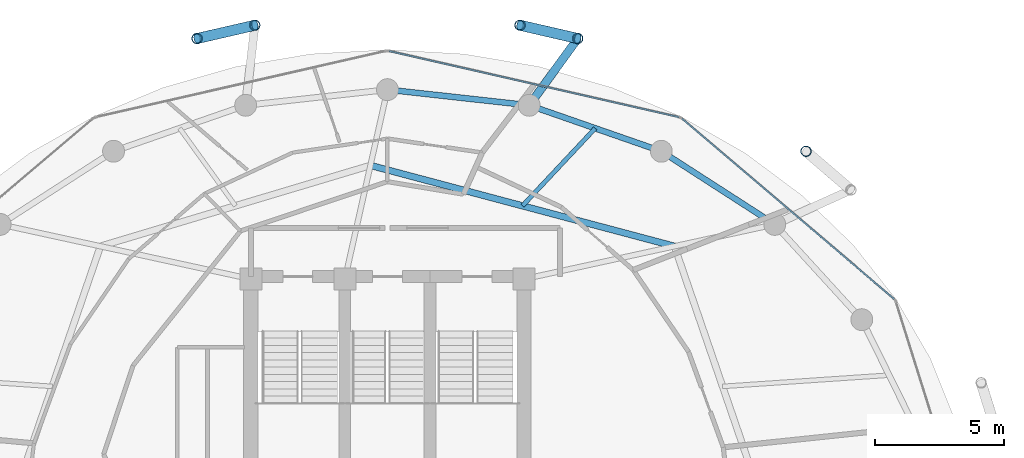
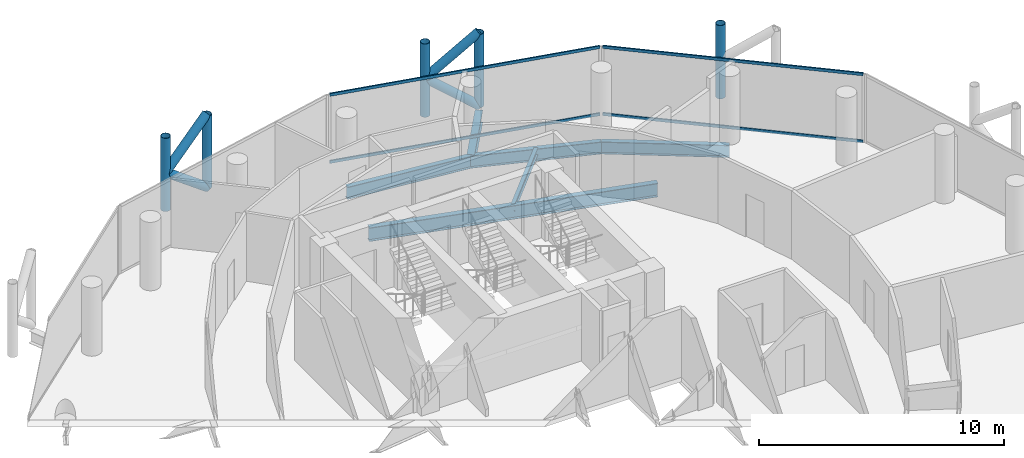
# One storey, part 20 of 27: 13 members, 6 beams, 2 elements without a shape of their own.
"""IFC4 building model written with IfcOpenShell, lengths in metres."""

from ifc_helpers import new_model, si_unit, direction, frame, origin, origin_2d, place, context, subcontext, project, spatial, hollow_rectangle, hollow_circle, i_section, extrude, material, layer, layer_set, material_profile, profile_set, type_object, element, aggregate, save


model = new_model("IFC4")

# Units and contexts
model_context = context("Model", 3, precision=1e-05, world=origin(), true_north=direction((0.0, 1.0)))
body_context = subcontext(model_context, "Body", "Model", "MODEL_VIEW")
ifc_project = project(units=[si_unit("LENGTHUNIT", "METRE"), si_unit("AREAUNIT", "SQUARE_METRE"), si_unit("VOLUMEUNIT", "CUBIC_METRE"), si_unit("PLANEANGLEUNIT", "RADIAN"), si_unit("MASSUNIT", "GRAM", prefix="KILO")], contexts=[model_context])

# Site, building, storey
site_placement = place(None, origin())
site = spatial("IfcSite", under=ifc_project, at=site_placement, CompositionType="ELEMENT")
building_placement = place(site_placement, origin())
building = spatial("IfcBuilding", under=site, at=building_placement, Name="Nuhasar Tower", CompositionType="ELEMENT")
storey_placement = place(building_placement, frame((0.0, 0.0, 248.300048828125)))
storey = spatial("IfcBuildingStorey", under=building, at=storey_placement, Name="L61", CompositionType="ELEMENT", Elevation=248.300048828125)

# Beams
ifc_material_1 = material(Name="Steel S355", Category="steel")
ifc_material_profile_1 = material_profile(ifc_material_1, i_section(OverallWidth=0.25390625, OverallDepth=0.68408203125, WebThickness=0.012451171875, FlangeThickness=0.018798828125, at=origin_2d()), Name="W27X94")
ifc_profile_set_1 = profile_set([ifc_material_profile_1], Name="Steel S355")
beam_type_1 = type_object("IfcBeamType", Name="BM-INRING-W27X94", PredefinedType="BEAM", material=ifc_profile_set_1)
beam_1_placement = place(storey_placement, frame((50.135986328125, 38.572998046875, -0.58203125), z_axis=(-0.966410333243, 0.257004022929, 0.0), x_axis=(-0.257004022929, -0.966410333243, 0.0)))
element("IfcBeam", 1, at=beam_1_placement, inside=storey, type_object=beam_type_1, Name="L61 Inner Header Beam 05", PredefinedType="BEAM", context=body_context, shape_type="SweptSolid", body=[
    extrude(i_section(OverallWidth=0.25390625, OverallDepth=0.68408203125, WebThickness=0.012451171875, FlangeThickness=0.018798828125, at=origin_2d()), origin(), (0.0, 0.0, 1.0), 12.205810546875),
])
ifc_material_profile_2 = material_profile(ifc_material_1, i_section(OverallWidth=0.1708984375, OverallDepth=0.35205078125, WebThickness=0.0068359375, FlangeThickness=0.009765625, at=origin_2d()), Name="W14X30")
ifc_profile_set_2 = profile_set([ifc_material_profile_2], Name="Steel S355")
beam_type_2 = type_object("IfcBeamType", Name="BM-JST-W14X30", PredefinedType="JOIST", material=ifc_profile_set_2)
beam_2_placement = place(storey_placement, frame((44.238037109375, 40.14208984375, -0.416015625), z_axis=(0.684358245116, 0.729145933501, 0.0), x_axis=(-0.729145933501, 0.684358245116, 0.0)))
element("IfcBeam", 2, at=beam_2_placement, inside=storey, type_object=beam_type_2, Name="L61 Secondary Floor Joist 05", PredefinedType="JOIST", context=body_context, shape_type="SweptSolid", body=[
    extrude(i_section(OverallWidth=0.1708984375, OverallDepth=0.35205078125, WebThickness=0.0068359375, FlangeThickness=0.009765625, at=origin_2d()), origin(), (0.0, 0.0, 1.0), 4.12646484375),
])
ifc_material_profile_3 = material_profile(ifc_material_1, i_section(OverallWidth=0.22802734375, OverallDepth=0.60791015625, WebThickness=0.01123046875, FlangeThickness=0.017333984375, at=origin_2d()), Name="W24X76")
ifc_profile_set_3 = profile_set([ifc_material_profile_3], Name="Steel S355")
beam_type_3 = type_object("IfcBeamType", Name="BM-RING-W24X76", PredefinedType="SPANDREL", material=ifc_profile_set_3)
beam_3_placement = place(storey_placement, frame((54.02587890625, 39.422119140625, -0.5439453125), z_axis=(-0.840502144969, 0.541808217272, 0.0), x_axis=(-0.541808217272, -0.840502144969, 0.0)))
element("IfcBeam", 3, at=beam_3_placement, inside=storey, type_object=beam_type_3, Name="L61 Perimeter Ring Spandrel 04", PredefinedType="SPANDREL", context=body_context, shape_type="SweptSolid", body=[
    extrude(i_section(OverallWidth=0.22802734375, OverallDepth=0.60791015625, WebThickness=0.01123046875, FlangeThickness=0.017333984375, at=origin_2d()), origin(), (0.0, 0.0, 1.0), 5.236083984375),
])
beam_4_placement = place(storey_placement, frame((49.625, 42.259033203125, -0.5439453125), z_axis=(-0.944476764686, 0.328578211342, 0.0), x_axis=(-0.328578211342, -0.944476764686, 0.0)))
element("IfcBeam", 4, at=beam_4_placement, inside=storey, type_object=beam_type_3, Name="L61 Perimeter Ring Spandrel 05", PredefinedType="SPANDREL", context=body_context, shape_type="SweptSolid", body=[
    extrude(i_section(OverallWidth=0.22802734375, OverallDepth=0.60791015625, WebThickness=0.01123046875, FlangeThickness=0.017333984375, at=origin_2d()), origin(), (0.0, 0.0, 1.0), 5.42626953125),
])
beam_5_placement = place(storey_placement, frame((44.5, 44.0419921875, -0.5439453125), z_axis=(-0.993947060915, 0.109860093292, 0.0), x_axis=(-0.109860093292, -0.993947060915, 0.0)))
element("IfcBeam", 5, at=beam_5_placement, inside=storey, type_object=beam_type_3, Name="L61 Perimeter Ring Spandrel 06", PredefinedType="SPANDREL", context=body_context, shape_type="SweptSolid", body=[
    extrude(i_section(OverallWidth=0.22802734375, OverallDepth=0.60791015625, WebThickness=0.01123046875, FlangeThickness=0.017333984375, at=origin_2d()), origin(), (0.0, 0.0, 1.0), 5.533447265625),
])
ifc_material_profile_4 = material_profile(ifc_material_1, i_section(OverallWidth=0.323974609375, OverallDepth=0.611083984375, WebThickness=0.0126953125, FlangeThickness=0.01904296875, at=origin_2d()), Name="W24X104")
ifc_profile_set_4 = profile_set([ifc_material_profile_4], Name="Steel S355")
beam_type_4 = type_object("IfcBeamType", Name="BM-TIE-W24X104", PredefinedType="BEAM", material=ifc_profile_set_4)
beam_6_placement = place(storey_placement, frame((44.5, 44.0419921875, -0.545166015625), z_axis=(0.588094663461, 0.808792103577, 0.0), x_axis=(-0.808792103577, 0.588094663461, 0.0)))
element("IfcBeam", 6, at=beam_6_placement, inside=storey, type_object=beam_type_4, Name="L61 Exoskeleton Node Tie Beam 03", PredefinedType="BEAM", context=body_context, shape_type="SweptSolid", body=[
    extrude(i_section(OverallWidth=0.323974609375, OverallDepth=0.611083984375, WebThickness=0.0126953125, FlangeThickness=0.01904296875, at=origin_2d()), origin(), (0.0, 0.0, 1.0), 3.20361328125),
])

# Curtain wall, members
ifc_material_2 = material(Name="Aluminium 6063-T6", Category="aluminium")
ifc_layer = layer(ifc_material_2, 0.18994140625)
ifc_layer_set = layer_set([ifc_layer], Name="Aluminium 6063-T6")
curtain_wall_type = type_object("IfcCurtainWallType", Name="CW-Z3-RES", PredefinedType="NOTDEFINED", material=ifc_layer_set)
curtain_wall_1_placement = place(storey_placement, origin())
curtain_wall_1 = element("IfcCurtainWall", 7, at=curtain_wall_1_placement, inside=storey, type_object=curtain_wall_type, Name="L61 Unitised Curtain Wall 02", PredefinedType="NOTDEFINED")
ifc_material_profile_5 = material_profile(ifc_material_2, hollow_rectangle(XDim=0.06494140625, YDim=0.139892578125, WallThickness=0.00439453125, at=origin_2d()), Name="CWT-4")
ifc_profile_set_5 = profile_set([ifc_material_profile_5], Name="Aluminium 6063-T6")
member_type_1 = type_object("IfcMemberType", Name="CW-TRN-S4", PredefinedType="USERDEFINED", material=ifc_profile_set_5)
member_1_placement = place(storey_placement, frame((58.661376953125, 36.522216796875, 0.032470703125), z_axis=(-0.761730809511, 0.647893643928, 0.0), x_axis=(-0.647893643928, -0.761730809511, 0.0)))
member_1 = element("IfcMember", 8, at=member_1_placement, type_object=member_type_1, Name="CW-Z3 transom 1.1", ObjectType="TRANSOM", PredefinedType="USERDEFINED", context=body_context, shape_type="SweptSolid", body=[
    extrude(hollow_rectangle(XDim=0.06494140625, YDim=0.139892578125, WallThickness=0.00439453125, at=origin_2d()), origin(), (0.0, 0.0, 1.0), 10.806884765625),
])
member_2_placement = place(storey_placement, frame((58.661376953125, 36.522216796875, 3.37744140625), z_axis=(-0.761730809511, 0.647893643928, 0.0), x_axis=(-0.647893643928, -0.761730809511, 0.0)))
member_2 = element("IfcMember", 9, at=member_2_placement, type_object=member_type_1, Name="CW-Z3 transom 1.2", ObjectType="TRANSOM", PredefinedType="USERDEFINED", context=body_context, shape_type="SweptSolid", body=[
    extrude(hollow_rectangle(XDim=0.06494140625, YDim=0.139892578125, WallThickness=0.00439453125, at=origin_2d()), origin(), (0.0, 0.0, 1.0), 10.806884765625),
])
aggregate(curtain_wall_1, [member_1, member_2])

curtain_wall_2_placement = place(storey_placement, origin())
curtain_wall_2 = element("IfcCurtainWall", 10, at=curtain_wall_2_placement, inside=storey, type_object=curtain_wall_type, Name="L61 Unitised Curtain Wall 03", PredefinedType="NOTDEFINED")
member_3_placement = place(storey_placement, frame((50.316650390625, 43.58056640625, 0.032470703125), z_axis=(-0.974994070913, 0.222230874732, 0.0), x_axis=(-0.222230874732, -0.974994070913, 0.0)))
member_3 = element("IfcMember", 11, at=member_3_placement, type_object=member_type_1, Name="CW-Z3 transom 1.1", ObjectType="TRANSOM", PredefinedType="USERDEFINED", context=body_context, shape_type="SweptSolid", body=[
    extrude(hollow_rectangle(XDim=0.06494140625, YDim=0.139892578125, WallThickness=0.00439453125, at=origin_2d()), origin(), (0.0, 0.0, 1.0), 11.541748046875),
])
member_4_placement = place(storey_placement, frame((50.316650390625, 43.58056640625, 3.37744140625), z_axis=(-0.974994070913, 0.222230874732, 0.0), x_axis=(-0.222230874732, -0.974994070913, 0.0)))
member_4 = element("IfcMember", 12, at=member_4_placement, type_object=member_type_1, Name="CW-Z3 transom 1.2", ObjectType="TRANSOM", PredefinedType="USERDEFINED", context=body_context, shape_type="SweptSolid", body=[
    extrude(hollow_rectangle(XDim=0.06494140625, YDim=0.139892578125, WallThickness=0.00439453125, at=origin_2d()), origin(), (0.0, 0.0, 1.0), 11.541748046875),
])
aggregate(curtain_wall_2, [member_3, member_4])

# Members
ifc_material_3 = material(Name="Steel S460", Category="steel")
ifc_material_profile_6 = material_profile(ifc_material_3, hollow_circle(Radius=0.203125, WallThickness=0.01904296875, at=origin_2d()), Name="HSS406.4X19.1")
ifc_profile_set_6 = profile_set([ifc_material_profile_6], Name="Steel S460")
member_type_2 = type_object("IfcMemberType", Name="EXO-BRONZE-406", PredefinedType="BRACE", material=ifc_profile_set_6)
for number, where, z_axis, x_axis, name in (
    (13, (55.239990234375, 42.257080078125, 0.0), (0.0, 0.0, 1.0), (1.0, 0.0, 0.0), "L61 Exoskeleton Chord Column EC-02B"),
    (14, (46.384033203125, 46.633056640625, 0.0), (0.0, 0.0, 1.0), (1.0, 0.0, 0.0), "L61 Exoskeleton Chord Column EC-03A"),
    (15, (44.14306640625, 47.14892578125, 0.0), (0.0, 0.0, 1.0), (1.0, 0.0, 0.0), "L61 Exoskeleton Chord Column EC-03B"),
    (16, (33.85693359375, 47.14892578125, 0.0), (0.0, 0.0, 1.0), (1.0, 0.0, 0.0), "L61 Exoskeleton Chord Column EC-04A"),
    (17, (31.615966796875, 46.633056640625, 0.0), (0.0, 0.0, 1.0), (1.0, 0.0, 0.0), "L61 Exoskeleton Chord Column EC-04B"),
):
    element("IfcMember", number, at=place(storey_placement, frame(where, z_axis=z_axis, x_axis=x_axis)), inside=storey, type_object=member_type_2, Name=name, PredefinedType="BRACE", context=body_context, shape_type="SweptSolid", body=[
        extrude(hollow_circle(Radius=0.203125, WallThickness=0.01904296875, at=origin_2d()), origin(), (0.0, 0.0, 1.0), 3.64990234375),
    ])
for number, where, z_axis, x_axis, name in (
    (18, (46.384033203125, 46.633056640625, 0.0), (-0.763342741922, 0.175721016852, 0.621634927101), (-0.224332214284, -0.974512728308, 0.0), "L61 Bronze Diagrid Brace W1-03"),
    (19, (44.14306640625, 47.14892578125, 1.824951171875), (0.763342741922, -0.175721016852, 0.621634927101), (0.224332214284, 0.974512728308, 0.0), "L61 Bronze Diagrid Brace W2-03"),
    (20, (33.85693359375, 47.14892578125, 0.0), (-0.763342741922, -0.175721016852, 0.621634927101), (0.224332214284, -0.974512728308, 0.0), "L61 Bronze Diagrid Brace W1-04"),
    (21, (31.615966796875, 46.633056640625, 1.824951171875), (0.763342741922, 0.175721016852, 0.621634927101), (-0.224332214284, 0.974512728308, 0.0), "L61 Bronze Diagrid Brace W2-04"),
):
    element("IfcMember", number, at=place(storey_placement, frame(where, z_axis=z_axis, x_axis=x_axis)), inside=storey, type_object=member_type_2, Name=name, PredefinedType="BRACE", context=body_context, shape_type="SweptSolid", body=[
        extrude(hollow_circle(Radius=0.203125, WallThickness=0.01904296875, at=origin_2d()), origin(), (0.0, 0.0, 1.0), 2.935791015625),
    ])

save(model, "model.ifc")
